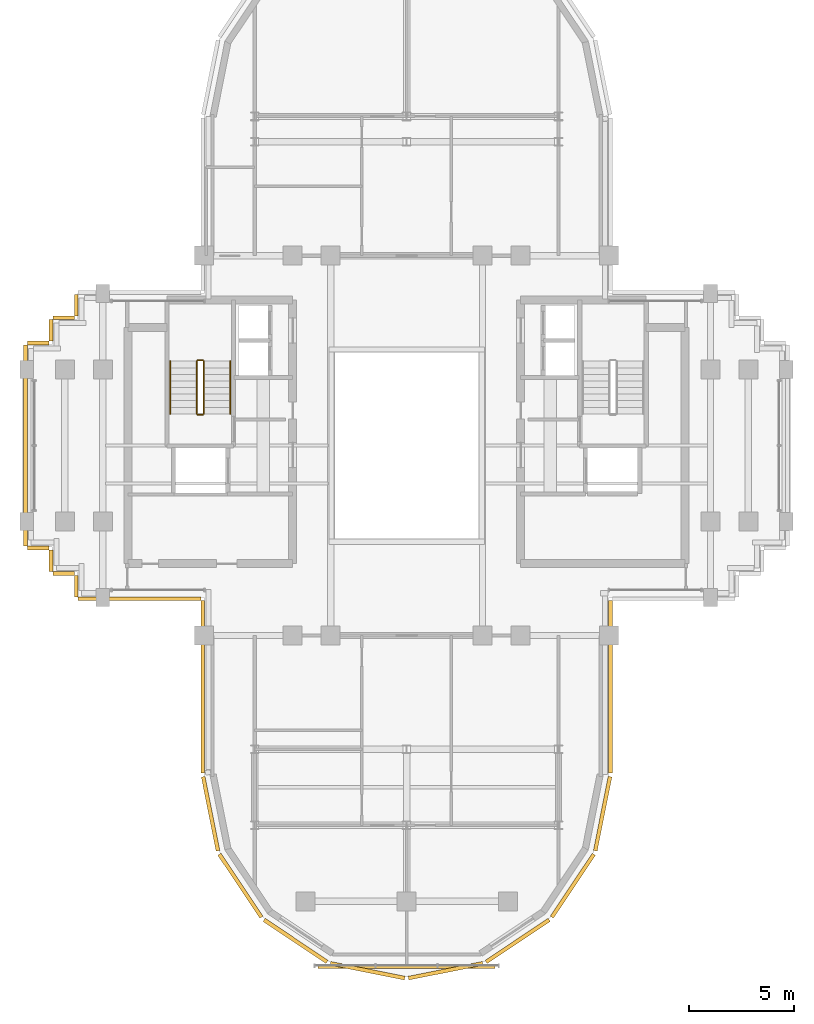
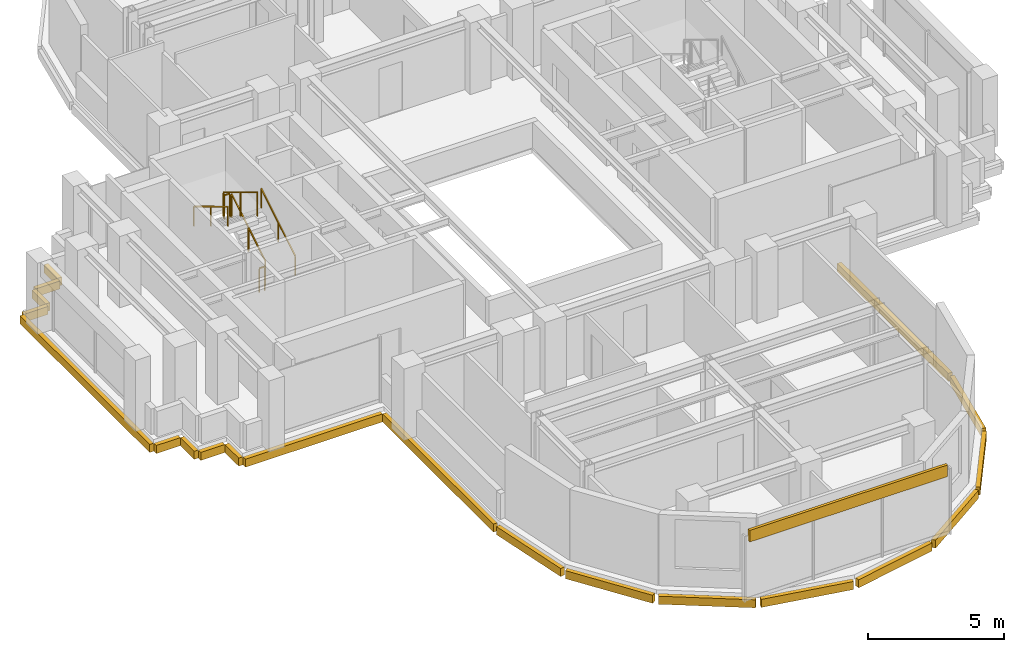
# One storey, part 9 of 11: 21 coverings, 6 railings.
"""IFC4 building model written with IfcOpenShell, lengths in metres."""

from ifc_helpers import new_model, si_unit, direction, frame, origin, origin_2d, place, context, subcontext, project, spatial, rectangle, extrude, source, transform, mapped, material, layer, layer_set, type_object, element, save


model = new_model("IFC4")

# Units and contexts
model_context = context("Model", 3, precision=1e-05, world=origin(), true_north=direction((0.0, 1.0)))
body_context = subcontext(model_context, "Body", "Model", "MODEL_VIEW")
ifc_project = project(units=[si_unit("LENGTHUNIT", "METRE"), si_unit("AREAUNIT", "SQUARE_METRE"), si_unit("VOLUMEUNIT", "CUBIC_METRE"), si_unit("PLANEANGLEUNIT", "RADIAN"), si_unit("MASSUNIT", "GRAM", prefix="KILO")], contexts=[model_context])

# Site, building, storey
site_placement = place(None, origin())
site = spatial("IfcSite", under=ifc_project, at=site_placement, CompositionType="ELEMENT")
building_placement = place(site_placement, origin())
building = spatial("IfcBuilding", under=site, at=building_placement, Name="Keilestroom Media Tower", CompositionType="ELEMENT")
storey_placement = place(building_placement, frame((0.0, 0.0, 208.0)))
storey = spatial("IfcBuildingStorey", under=building, at=storey_placement, Name="L57", CompositionType="ELEMENT", Elevation=208.0)

# Railings
ifc_material_1 = material(Name="Brushed Stainless Steel 1.4301", Category="steel")
railing_type_1 = type_object("IfcRailingType", Name="Stair-Pitch-Handrail-920", PredefinedType="HANDRAIL", material=ifc_material_1)
railing_1_placement = place(storey_placement, frame((-8.35009765625, 1.5, 0.18896484375)))
element("IfcRailing", 1, at=railing_1_placement, inside=storey, type_object=railing_type_1, Name="L57 ST-1 stair handrail 1", PredefinedType="HANDRAIL", context=body_context, shape_type="SweptSolid", body=[
    extrude(rectangle(XDim=0.048095703125, YDim=0.048095703125, at=origin_2d()), frame((0.0, 0.0, 0.8759765625), z_axis=(0.0, 0.855470815493, 0.517851024754), x_axis=(-1.0, 0.0, 0.0)), (0.0, 0.0, 1.0), 2.917724609375),
    extrude(rectangle(XDim=0.0419921875, YDim=0.0419921875, at=origin_2d()), origin(), (0.0, 0.0, 1.0), 0.84375),
    extrude(rectangle(XDim=0.0419921875, YDim=0.0419921875, at=origin_2d()), frame((0.0, 1.248046875, 0.75537109375)), (0.0, 0.0, 1.0), 0.84375),
    extrude(rectangle(XDim=0.0419921875, YDim=0.0419921875, at=origin_2d()), frame((0.0, 2.49609375, 1.510986328125)), (0.0, 0.0, 1.0), 0.84375),
])
railing_2_placement = place(storey_placement, frame((-11.2099609375, 3.99609375, 1.888916015625)))
element("IfcRailing", 2, at=railing_2_placement, inside=storey, type_object=railing_type_1, Name="L57 ST-1 stair handrail 2", PredefinedType="HANDRAIL", context=body_context, shape_type="SweptSolid", body=[
    extrude(rectangle(XDim=0.048095703125, YDim=0.048095703125, at=origin_2d()), frame((0.0, 0.0, 0.8759765625), z_axis=(0.0, -0.855470815493, 0.517851024754), x_axis=(1.0, 0.0, 0.0)), (0.0, 0.0, 1.0), 2.917724609375),
    extrude(rectangle(XDim=0.0419921875, YDim=0.0419921875, at=origin_2d()), origin(), (0.0, 0.0, 1.0), 0.84375),
    extrude(rectangle(XDim=0.0419921875, YDim=0.0419921875, at=origin_2d()), frame((0.0, -1.248046875, 0.75537109375)), (0.0, 0.0, 1.0), 0.84375),
    extrude(rectangle(XDim=0.0419921875, YDim=0.0419921875, at=origin_2d()), frame((0.0, -2.49609375, 1.510986328125)), (0.0, 0.0, 1.0), 0.84375),
])
ifc_material_2 = material(Name="Painted Steel Balustrade", Category="steel")
railing_type_2 = type_object("IfcRailingType", Name="Stair-Well-And-Landing-Guard-1100", PredefinedType="GUARDRAIL", material=ifc_material_2)
railing_3_placement = place(storey_placement, frame((-9.610107421875, 1.5, 0.18896484375)))
element("IfcRailing", 3, at=railing_3_placement, inside=storey, type_object=railing_type_2, Name="L57 ST-1 stair guard 1", PredefinedType="GUARDRAIL", context=body_context, shape_type="SweptSolid", body=[
    extrude(rectangle(XDim=0.048095703125, YDim=0.048095703125, at=origin_2d()), frame((0.0, 0.0, 1.076171875), z_axis=(0.0, 0.855470815493, 0.517851024754), x_axis=(-1.0, 0.0, 0.0)), (0.0, 0.0, 1.0), 2.917724609375),
    extrude(rectangle(XDim=0.0419921875, YDim=0.0419921875, at=origin_2d()), origin(), (0.0, 0.0, 1.0), 1.0439453125),
    extrude(rectangle(XDim=0.0419921875, YDim=0.0419921875, at=origin_2d()), frame((0.0, 1.248046875, 0.75537109375)), (0.0, 0.0, 1.0), 1.0439453125),
    extrude(rectangle(XDim=0.0419921875, YDim=0.0419921875, at=origin_2d()), frame((0.0, 2.49609375, 1.510986328125)), (0.0, 0.0, 1.0), 1.0439453125),
])
railing_4_placement = place(storey_placement, frame((-9.659912109375, 4.0458984375, 1.699951171875)))
element("IfcRailing", 4, at=railing_4_placement, inside=storey, type_object=railing_type_2, Name="L57 ST-1 stair guard 2", PredefinedType="GUARDRAIL", context=body_context, shape_type="SweptSolid", body=[
    extrude(rectangle(XDim=0.048095703125, YDim=0.048095703125, at=origin_2d()), frame((0.0, 0.0, 1.076171875), z_axis=(-1.0, 0.0, 0.0), x_axis=(0.0, -1.0, 0.0)), (0.0, 0.0, 1.0), 0.239990234375),
    extrude(rectangle(XDim=0.0419921875, YDim=0.0419921875, at=origin_2d()), origin(), (0.0, 0.0, 1.0), 1.0439453125),
    extrude(rectangle(XDim=0.0419921875, YDim=0.0419921875, at=origin_2d()), frame((-0.239990234375, 0.0, 0.0)), (0.0, 0.0, 1.0), 1.0439453125),
])
railing_5_placement = place(storey_placement, frame((-9.949951171875, 3.99609375, 1.888916015625)))
element("IfcRailing", 5, at=railing_5_placement, inside=storey, type_object=railing_type_2, Name="L57 ST-1 stair guard 3", PredefinedType="GUARDRAIL", context=body_context, shape_type="SweptSolid", body=[
    extrude(rectangle(XDim=0.048095703125, YDim=0.048095703125, at=origin_2d()), frame((0.0, 0.0, 1.076171875), z_axis=(0.0, -0.855470815493, 0.517851024754), x_axis=(1.0, 0.0, 0.0)), (0.0, 0.0, 1.0), 2.917724609375),
    extrude(rectangle(XDim=0.0419921875, YDim=0.0419921875, at=origin_2d()), origin(), (0.0, 0.0, 1.0), 1.0439453125),
    extrude(rectangle(XDim=0.0419921875, YDim=0.0419921875, at=origin_2d()), frame((0.0, -1.248046875, 0.75537109375)), (0.0, 0.0, 1.0), 1.0439453125),
    extrude(rectangle(XDim=0.0419921875, YDim=0.0419921875, at=origin_2d()), frame((0.0, -2.49609375, 1.510986328125)), (0.0, 0.0, 1.0), 1.0439453125),
])
railing_6_placement = place(storey_placement, frame((-9.659912109375, 1.449951171875, 0.0)))
element("IfcRailing", 6, at=railing_6_placement, inside=storey, type_object=railing_type_2, Name="L57 ST-1 stair guard 4", PredefinedType="GUARDRAIL", context=body_context, shape_type="SweptSolid", body=[
    extrude(rectangle(XDim=0.048095703125, YDim=0.048095703125, at=origin_2d()), frame((0.0, 0.0, 1.076171875), z_axis=(-1.0, 0.0, 0.0), x_axis=(0.0, -1.0, 0.0)), (0.0, 0.0, 1.0), 0.239990234375),
    extrude(rectangle(XDim=0.0419921875, YDim=0.0419921875, at=origin_2d()), origin(), (0.0, 0.0, 1.0), 1.0439453125),
    extrude(rectangle(XDim=0.0419921875, YDim=0.0419921875, at=origin_2d()), frame((-0.239990234375, 0.0, 0.0)), (0.0, 0.0, 1.0), 1.0439453125),
])

# Coverings
ifc_material_3 = material(Name="Precast concrete C40/50", Category="concrete")
ifc_layer = layer(ifc_material_3, 0.1201171875)
ifc_layer_set = layer_set([ifc_layer], Name="Precast concrete C40/50")
covering_type = type_object("IfcCoveringType", Name="Exterior-Precast-Spandrel-Cladding-Panel-120", PredefinedType="CLADDING", material=ifc_layer_set)
shared_shape_1 = source(origin(), body_context, "Body", "SweptSolid", [
    extrude(rectangle(XDim=8.39990234375, YDim=0.1201171875, at=origin_2d()), origin(), (0.0, 0.0, 1.0), 0.52001953125),
])
covering_1_placement = place(storey_placement, frame((0.0, -24.719970703125, 2.68994140625), z_axis=(0.0, 0.0, 1.0), x_axis=(1.0, 0.0, 0.0)))
element("IfcCovering", 7, at=covering_1_placement, inside=storey, type_object=covering_type, Name="L57 Precast Spandrel Cladding S", PredefinedType="CLADDING", context=body_context, shape_type="MappedRepresentation", body=[
    mapped(shared_shape_1, transform((0.0, 0.0, 0.0), x_axis=(1.0, 0.0, 0.0), y_axis=(0.0, 1.0, 0.0), z_axis=(0.0, 0.0, 1.0), scale=1.0)),
])
shared_shape_2 = source(origin(), body_context, "Body", "SweptSolid", [
    extrude(rectangle(XDim=1.02001953125, YDim=0.179931640625, at=origin_2d()), origin(), (0.0, 0.0, 1.0), 0.360107421875),
])
for number, where, z_axis, x_axis, name in (
    (8, (-15.659912109375, -6.659912109375, -0.5400390625), (0.0, 0.0, 1.0), (0.0, 1.0, 0.0), "L57 Precast Slab-Edge Fascia Cornice 17"),
    (9, (-16.260009765625, -6.06005859375, -0.5400390625), (0.0, 0.0, 1.0), (-1.0, 0.0, 0.0), "L57 Precast Slab-Edge Fascia Cornice 18"),
    (10, (-16.860107421875, -5.4599609375, -0.5400390625), (0.0, 0.0, 1.0), (0.0, 1.0, 0.0), "L57 Precast Slab-Edge Fascia Cornice 19"),
    (11, (-17.4599609375, -4.860107421875, -0.5400390625), (0.0, 0.0, 1.0), (-1.0, 0.0, 0.0), "L57 Precast Slab-Edge Fascia Cornice 20"),
    (12, (-17.4599609375, 4.860107421875, -0.5400390625), (0.0, 0.0, 1.0), (1.0, 0.0, 0.0), "L57 Precast Slab-Edge Fascia Cornice 22"),
    (13, (-16.860107421875, 5.4599609375, -0.5400390625), (0.0, 0.0, 1.0), (0.0, 1.0, 0.0), "L57 Precast Slab-Edge Fascia Cornice 23"),
    (14, (-16.260009765625, 6.06005859375, -0.5400390625), (0.0, 0.0, 1.0), (1.0, 0.0, 0.0), "L57 Precast Slab-Edge Fascia Cornice 24"),
    (15, (-15.659912109375, 6.659912109375, -0.5400390625), (0.0, 0.0, 1.0), (0.0, 1.0, 0.0), "L57 Precast Slab-Edge Fascia Cornice 25"),
):
    element("IfcCovering", number, at=place(storey_placement, frame(where, z_axis=z_axis, x_axis=x_axis)), inside=storey, type_object=covering_type, Name=name, PredefinedType="CLADDING", context=body_context, shape_type="MappedRepresentation", body=[
        mapped(shared_shape_2, transform((0.0, 0.0, 0.0), x_axis=(1.0, 0.0, 0.0), y_axis=(0.0, 1.0, 0.0), z_axis=(0.0, 0.0, 1.0), scale=1.0)),
    ])
shared_shape_3 = source(origin(), body_context, "Body", "SweptSolid", [
    extrude(rectangle(XDim=8.166015625, YDim=0.179931640625, at=origin_2d()), origin(), (0.0, 0.0, 1.0), 0.360107421875),
])
for number, where, z_axis, x_axis, name in (
    (16, (9.659912109375, -11.43310546875, -0.5400390625), (0.0, 0.0, 1.0), (0.0, -1.0, 0.0), "L57 Precast Slab-Edge Fascia Cornice 06"),
    (17, (-9.659912109375, -11.43310546875, -0.5400390625), (0.0, 0.0, 1.0), (0.0, 1.0, 0.0), "L57 Precast Slab-Edge Fascia Cornice 15"),
):
    element("IfcCovering", number, at=place(storey_placement, frame(where, z_axis=z_axis, x_axis=x_axis)), inside=storey, type_object=covering_type, Name=name, PredefinedType="CLADDING", context=body_context, shape_type="MappedRepresentation", body=[
        mapped(shared_shape_3, transform((0.0, 0.0, 0.0), x_axis=(1.0, 0.0, 0.0), y_axis=(0.0, 1.0, 0.0), z_axis=(0.0, 0.0, 1.0), scale=1.0)),
    ])
shared_shape_4 = source(origin(), body_context, "Body", "SweptSolid", [
    extrude(rectangle(XDim=3.58349609375, YDim=0.179931640625, at=origin_2d()), origin(), (0.0, 0.0, 1.0), 0.360107421875),
])
for number, where, z_axis, x_axis, name in (
    (18, (9.29296875, -17.45166015625, -0.5400390625), (0.0, 0.0, 1.0), (-0.195098880975, -0.980783577882, 0.0), "L57 Precast Slab-Edge Fascia Cornice 07"),
    (19, (-9.29296875, -17.45166015625, -0.5400390625), (0.0, 0.0, 1.0), (-0.195098880975, 0.980783577882, 0.0), "L57 Precast Slab-Edge Fascia Cornice 14"),
):
    element("IfcCovering", number, at=place(storey_placement, frame(where, z_axis=z_axis, x_axis=x_axis)), inside=storey, type_object=covering_type, Name=name, PredefinedType="CLADDING", context=body_context, shape_type="MappedRepresentation", body=[
        mapped(shared_shape_4, transform((0.0, 0.0, 0.0), x_axis=(1.0, 0.0, 0.0), y_axis=(0.0, 1.0, 0.0), z_axis=(0.0, 0.0, 1.0), scale=1.0)),
    ])
shared_shape_5 = source(origin(), body_context, "Body", "SweptSolid", [
    extrude(rectangle(XDim=3.589599609375, YDim=0.179931640625, at=origin_2d()), origin(), (0.0, 0.0, 1.0), 0.360107421875),
])
for number, where, z_axis, x_axis, name in (
    (20, (7.878662109375, -20.8642578125, -0.5400390625), (0.0, 0.0, 1.0), (-0.555574586577, -0.831466703332, 0.0), "L57 Precast Slab-Edge Fascia Cornice 08"),
    (21, (5.264404296875, -23.478515625, -0.5400390625), (0.0, 0.0, 1.0), (-0.831466703332, -0.555574586577, 0.0), "L57 Precast Slab-Edge Fascia Cornice 09"),
    (22, (1.8486328125, -24.893310546875, -0.5400390625), (0.0, 0.0, 1.0), (-0.980783577882, -0.195098880975, 0.0), "L57 Precast Slab-Edge Fascia Cornice 10"),
    (23, (-1.8486328125, -24.893310546875, -0.5400390625), (0.0, 0.0, 1.0), (-0.980783577882, 0.195098880975, 0.0), "L57 Precast Slab-Edge Fascia Cornice 11"),
    (24, (-5.264404296875, -23.478515625, -0.5400390625), (0.0, 0.0, 1.0), (-0.831466703332, 0.555574586577, 0.0), "L57 Precast Slab-Edge Fascia Cornice 12"),
    (25, (-7.878662109375, -20.8642578125, -0.5400390625), (0.0, 0.0, 1.0), (-0.555574586577, 0.831466703332, 0.0), "L57 Precast Slab-Edge Fascia Cornice 13"),
):
    element("IfcCovering", number, at=place(storey_placement, frame(where, z_axis=z_axis, x_axis=x_axis)), inside=storey, type_object=covering_type, Name=name, PredefinedType="CLADDING", context=body_context, shape_type="MappedRepresentation", body=[
        mapped(shared_shape_5, transform((0.0, 0.0, 0.0), x_axis=(1.0, 0.0, 0.0), y_axis=(0.0, 1.0, 0.0), z_axis=(0.0, 0.0, 1.0), scale=1.0)),
    ])
shared_shape_6 = source(origin(), body_context, "Body", "SweptSolid", [
    extrude(rectangle(XDim=9.5400390625, YDim=0.179931640625, at=origin_2d()), origin(), (0.0, 0.0, 1.0), 0.360107421875),
])
covering_2_placement = place(storey_placement, frame((-18.06005859375, 0.0, -0.5400390625), z_axis=(0.0, 0.0, 1.0), x_axis=(0.0, 1.0, 0.0)))
element("IfcCovering", 26, at=covering_2_placement, inside=storey, type_object=covering_type, Name="L57 Precast Slab-Edge Fascia Cornice 21", PredefinedType="CLADDING", context=body_context, shape_type="MappedRepresentation", body=[
    mapped(shared_shape_6, transform((0.0, 0.0, 0.0), x_axis=(1.0, 0.0, 0.0), y_axis=(0.0, 1.0, 0.0), z_axis=(0.0, 0.0, 1.0), scale=1.0)),
])
shared_shape_7 = source(origin(), body_context, "Body", "SweptSolid", [
    extrude(rectangle(XDim=5.820068359375, YDim=0.179931640625, at=origin_2d()), origin(), (0.0, 0.0, 1.0), 0.360107421875),
])
covering_3_placement = place(storey_placement, frame((-12.659912109375, -7.260009765625, -0.5400390625), z_axis=(0.0, 0.0, 1.0), x_axis=(-1.0, 0.0, 0.0)))
element("IfcCovering", 27, at=covering_3_placement, inside=storey, type_object=covering_type, Name="L57 Precast Slab-Edge Fascia Cornice 16", PredefinedType="CLADDING", context=body_context, shape_type="MappedRepresentation", body=[
    mapped(shared_shape_7, transform((0.0, 0.0, 0.0), x_axis=(1.0, 0.0, 0.0), y_axis=(0.0, 1.0, 0.0), z_axis=(0.0, 0.0, 1.0), scale=1.0)),
])

save(model, "model.ifc")
